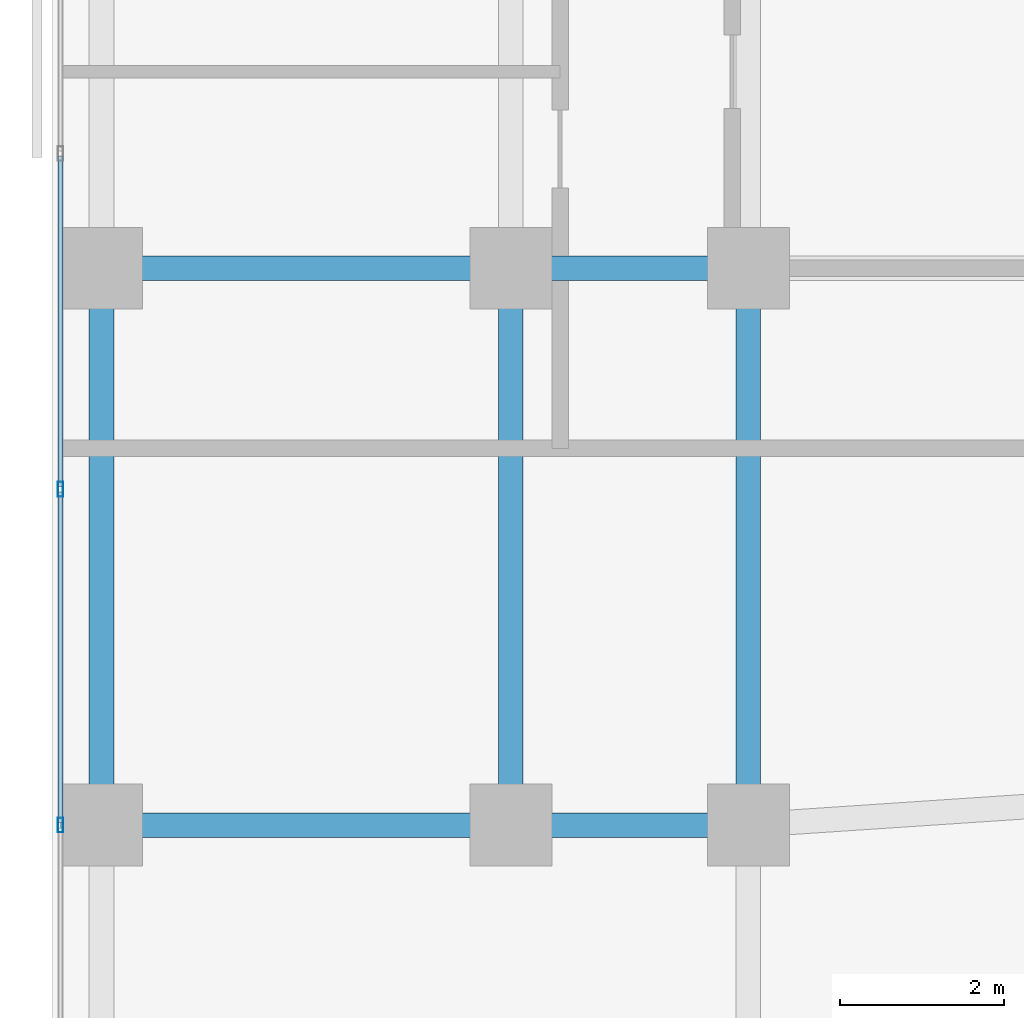
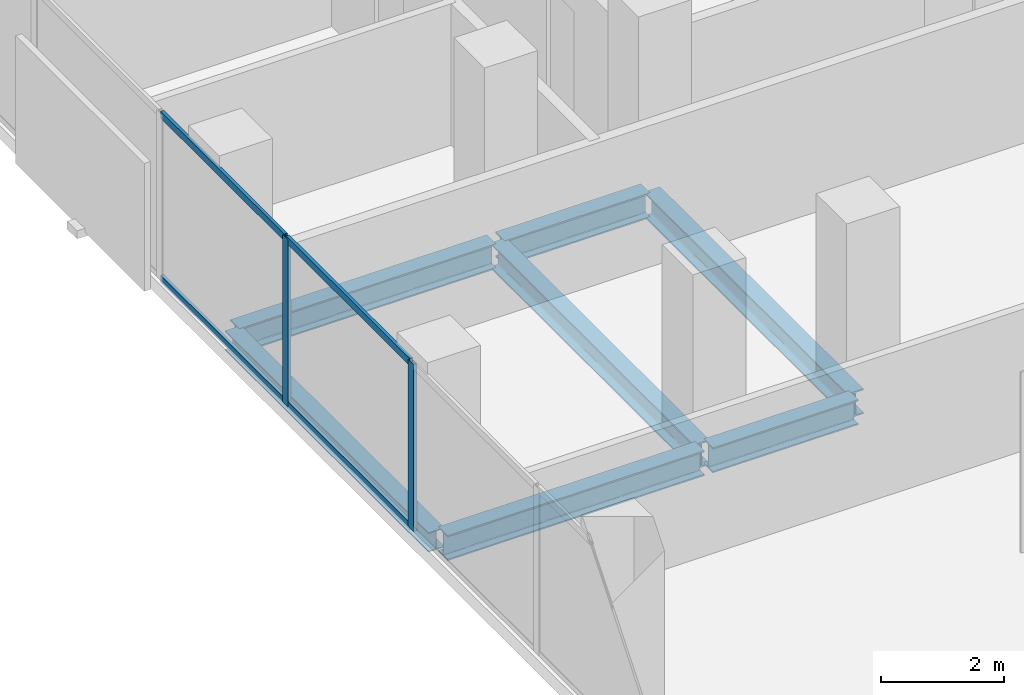
# One storey, part 10 of 31: 7 beams, 6 members, 1 element without a shape of its own.
"""IFC4 building model written with IfcOpenShell, lengths in metres."""

from ifc_helpers import new_model, si_unit, direction, frame, origin, origin_2d, place, context, subcontext, project, spatial, hollow_rectangle, i_section, extrude, material, layer, layer_set, material_profile, profile_set, type_object, element, aggregate, save


model = new_model("IFC4")

# Units and contexts
model_context = context("Model", 3, precision=1e-05, world=origin(), true_north=direction((0.0, 1.0)))
body_context = subcontext(model_context, "Body", "Model", "MODEL_VIEW")
ifc_project = project(units=[si_unit("LENGTHUNIT", "METRE"), si_unit("AREAUNIT", "SQUARE_METRE"), si_unit("VOLUMEUNIT", "CUBIC_METRE"), si_unit("PLANEANGLEUNIT", "RADIAN"), si_unit("MASSUNIT", "GRAM", prefix="KILO")], contexts=[model_context])

# Site, building, storey
site_placement = place(None, origin())
site = spatial("IfcSite", under=ifc_project, at=site_placement, CompositionType="ELEMENT")
building_placement = place(site_placement, origin())
building = spatial("IfcBuilding", under=site, at=building_placement, Name="Catumbela Crestline Tower", CompositionType="ELEMENT")
storey_placement = place(building_placement, frame((0.0, 0.0, 40.2)))
storey = spatial("IfcBuildingStorey", under=building, at=storey_placement, Name="L09", CompositionType="ELEMENT", Elevation=40.2)

# Beams
ifc_material_1 = material(Name="Structural steel S355J2", Category="steel")
ifc_material_profile_1 = material_profile(ifc_material_1, i_section(OverallWidth=0.3, OverallDepth=0.5, WebThickness=0.0145, FlangeThickness=0.028, FilletRadius=0.027, at=origin_2d()), Name="HEB 500")
ifc_profile_set_1 = profile_set([ifc_material_profile_1], Name="Structural steel S355J2")
beam_type_1 = type_object("IfcBeamType", Name="BG-HEB500", PredefinedType="BEAM", material=ifc_profile_set_1)
beam_1_placement = place(storey_placement, frame((0.68, 24.0, -0.51), z_axis=(1.0, 0.0, 0.0), x_axis=(0.0, 1.0, 0.0)))
element("IfcBeam", 1, at=beam_1_placement, inside=storey, type_object=beam_type_1, Name="L09 Beam BM-L09-S01", PredefinedType="BEAM", context=body_context, shape_type="SweptSolid", body=[
    extrude(i_section(OverallWidth=0.3, OverallDepth=0.5, WebThickness=0.0145, FlangeThickness=0.028, FilletRadius=0.027, at=origin_2d()), origin(), (0.0, 0.0, 1.0), 4.84),
])
beam_2_placement = place(storey_placement, frame((5.68, 24.0, -0.51), z_axis=(1.0, 0.0, 0.0), x_axis=(0.0, 1.0, 0.0)))
element("IfcBeam", 2, at=beam_2_placement, inside=storey, type_object=beam_type_1, Name="L09 Beam BM-L09-S02", PredefinedType="BEAM", context=body_context, shape_type="SweptSolid", body=[
    extrude(i_section(OverallWidth=0.3, OverallDepth=0.5, WebThickness=0.0145, FlangeThickness=0.028, FilletRadius=0.027, at=origin_2d()), origin(), (0.0, 0.0, 1.0), 2.74),
])
beam_3_placement = place(storey_placement, frame((0.68, 30.8, -0.51), z_axis=(1.0, 0.0, 0.0), x_axis=(0.0, 1.0, 0.0)))
element("IfcBeam", 3, at=beam_3_placement, inside=storey, type_object=beam_type_1, Name="L09 Beam BM-L09-M07", PredefinedType="BEAM", context=body_context, shape_type="SweptSolid", body=[
    extrude(i_section(OverallWidth=0.3, OverallDepth=0.5, WebThickness=0.0145, FlangeThickness=0.028, FilletRadius=0.027, at=origin_2d()), origin(), (0.0, 0.0, 1.0), 4.84),
])
beam_4_placement = place(storey_placement, frame((5.68, 30.8, -0.51), z_axis=(1.0, 0.0, 0.0), x_axis=(0.0, 1.0, 0.0)))
element("IfcBeam", 4, at=beam_4_placement, inside=storey, type_object=beam_type_1, Name="L09 Beam BM-L09-M08", PredefinedType="BEAM", context=body_context, shape_type="SweptSolid", body=[
    extrude(i_section(OverallWidth=0.3, OverallDepth=0.5, WebThickness=0.0145, FlangeThickness=0.028, FilletRadius=0.027, at=origin_2d()), origin(), (0.0, 0.0, 1.0), 2.74),
])
for number, where, z_axis, x_axis, name in (
    (5, (5.6, 24.08, -0.51), (0.0, 1.0, 0.0), (-1.0, 0.0, 0.0), "L09 Beam BM-L09-SN27"),
    (6, (8.5, 24.08, -0.51), (0.0, 1.0, 0.0), (-1.0, 0.0, 0.0), "L09 Beam BM-L09-SN29"),
):
    element("IfcBeam", number, at=place(storey_placement, frame(where, z_axis=z_axis, x_axis=x_axis)), inside=storey, type_object=beam_type_1, Name=name, PredefinedType="BEAM", context=body_context, shape_type="SweptSolid", body=[
        extrude(i_section(OverallWidth=0.3, OverallDepth=0.5, WebThickness=0.0145, FlangeThickness=0.028, FilletRadius=0.027, at=origin_2d()), origin(), (0.0, 0.0, 1.0), 6.64),
    ])

# Curtain wall, members
ifc_material_2 = material(Name="Aluminium alloy AW-6060-T66", Category="aluminium")
ifc_layer = layer(ifc_material_2, 0.18, Name="Aluminium alloy AW-6060-T66")
ifc_layer_set = layer_set([ifc_layer], Name="Aluminium alloy AW-6060-T66")
curtain_wall_type = type_object("IfcCurtainWallType", Name="CWU-Z1", PredefinedType="USERDEFINED", material=ifc_layer_set)
curtain_wall_placement = place(storey_placement, origin())
curtain_wall = element("IfcCurtainWall", 7, at=curtain_wall_placement, inside=storey, type_object=curtain_wall_type, Name="L09 Unitised Curtain Wall CW-L09-E9S1", ObjectType="UNITISED", PredefinedType="USERDEFINED")
ifc_material_profile_2 = material_profile(ifc_material_2, hollow_rectangle(XDim=0.065, YDim=0.18, WallThickness=0.004, at=origin_2d()), Name="ALU 180x65x4")
ifc_profile_set_2 = profile_set([ifc_material_profile_2], Name="Aluminium alloy AW-6060-T66")
member_type_1 = type_object("IfcMemberType", Name="MUL-180X65", PredefinedType="MULLION", material=ifc_profile_set_2)
member_1_placement = place(storey_placement, frame((0.1, 28.1, 0.0), z_axis=(0.0, 0.0, 1.0), x_axis=(1.0, 0.0, 0.0)))
member_1 = element("IfcMember", 8, at=member_1_placement, type_object=member_type_1, Name="CWU-Z1 mullion 5", PredefinedType="MULLION", context=body_context, shape_type="SweptSolid", body=[
    extrude(hollow_rectangle(XDim=0.065, YDim=0.18, WallThickness=0.004, at=origin_2d()), origin(), (0.0, 0.0, 1.0), 3.33),
])
member_2_placement = place(storey_placement, frame((0.1, 24.0, 0.0), z_axis=(0.0, 0.0, 1.0), x_axis=(1.0, 0.0, 0.0)))
member_2 = element("IfcMember", 9, at=member_2_placement, type_object=member_type_1, Name="CWU-Z1 mullion 6", PredefinedType="MULLION", context=body_context, shape_type="SweptSolid", body=[
    extrude(hollow_rectangle(XDim=0.065, YDim=0.18, WallThickness=0.004, at=origin_2d()), origin(), (0.0, 0.0, 1.0), 3.33),
])

# Beam
ifc_material_profile_3 = material_profile(ifc_material_1, i_section(OverallWidth=0.3, OverallDepth=0.39, WebThickness=0.011, FlangeThickness=0.019, FilletRadius=0.027, at=origin_2d()), Name="HEA 400")
ifc_profile_set_3 = profile_set([ifc_material_profile_3], Name="Structural steel S355J2")
beam_type_2 = type_object("IfcBeamType", Name="BS-HEA400", PredefinedType="SPANDREL", material=ifc_profile_set_3)
beam_5_placement = place(storey_placement, frame((0.6, 24.08, -0.455), z_axis=(0.0, 1.0, 0.0), x_axis=(-1.0, 0.0, 0.0)))
element("IfcBeam", 10, at=beam_5_placement, inside=storey, type_object=beam_type_2, Name="L09 Spandrel SP-L09-SN25", PredefinedType="SPANDREL", context=body_context, shape_type="SweptSolid", body=[
    extrude(i_section(OverallWidth=0.3, OverallDepth=0.39, WebThickness=0.011, FlangeThickness=0.019, FilletRadius=0.027, at=origin_2d()), origin(), (0.0, 0.0, 1.0), 6.64),
])

# Member
ifc_material_profile_4 = material_profile(ifc_material_2, hollow_rectangle(XDim=0.06, YDim=0.14, WallThickness=0.004, at=origin_2d()), Name="ALU 140x60x4")
ifc_profile_set_4 = profile_set([ifc_material_profile_4], Name="Aluminium alloy AW-6060-T66")
member_type_2 = type_object("IfcMemberType", Name="TRN-140X60", PredefinedType="USERDEFINED", material=ifc_profile_set_4)
member_3_placement = place(storey_placement, frame((0.1, 32.1675, 0.03), z_axis=(0.0, -1.0, 0.0), x_axis=(1.0, 0.0, 0.0)))
member_3 = element("IfcMember", 11, at=member_3_placement, type_object=member_type_2, Name="CWU-Z1 transom 4.1", ObjectType="TRANSOM", PredefinedType="USERDEFINED", context=body_context, shape_type="SweptSolid", body=[
    extrude(hollow_rectangle(XDim=0.06, YDim=0.14, WallThickness=0.004, at=origin_2d()), origin(), (0.0, 0.0, 1.0), 4.035),
])

member_4_placement = place(storey_placement, frame((0.1, 32.1675, 3.3), z_axis=(0.0, -1.0, 0.0), x_axis=(1.0, 0.0, 0.0)))
member_4 = element("IfcMember", 12, at=member_4_placement, type_object=member_type_2, Name="CWU-Z1 transom 4.2", ObjectType="TRANSOM", PredefinedType="USERDEFINED", context=body_context, shape_type="SweptSolid", body=[
    extrude(hollow_rectangle(XDim=0.06, YDim=0.14, WallThickness=0.004, at=origin_2d()), origin(), (0.0, 0.0, 1.0), 4.035),
])

member_5_placement = place(storey_placement, frame((0.1, 28.0675, 0.03), z_axis=(0.0, -1.0, 0.0), x_axis=(1.0, 0.0, 0.0)))
member_5 = element("IfcMember", 13, at=member_5_placement, type_object=member_type_2, Name="CWU-Z1 transom 5.1", ObjectType="TRANSOM", PredefinedType="USERDEFINED", context=body_context, shape_type="SweptSolid", body=[
    extrude(hollow_rectangle(XDim=0.06, YDim=0.14, WallThickness=0.004, at=origin_2d()), origin(), (0.0, 0.0, 1.0), 4.035),
])

member_6_placement = place(storey_placement, frame((0.1, 28.0675, 3.3), z_axis=(0.0, -1.0, 0.0), x_axis=(1.0, 0.0, 0.0)))
member_6 = element("IfcMember", 14, at=member_6_placement, type_object=member_type_2, Name="CWU-Z1 transom 5.2", ObjectType="TRANSOM", PredefinedType="USERDEFINED", context=body_context, shape_type="SweptSolid", body=[
    extrude(hollow_rectangle(XDim=0.06, YDim=0.14, WallThickness=0.004, at=origin_2d()), origin(), (0.0, 0.0, 1.0), 4.035),
])

aggregate(curtain_wall, [member_1, member_2, member_3, member_4, member_5, member_6])

save(model, "model.ifc")
